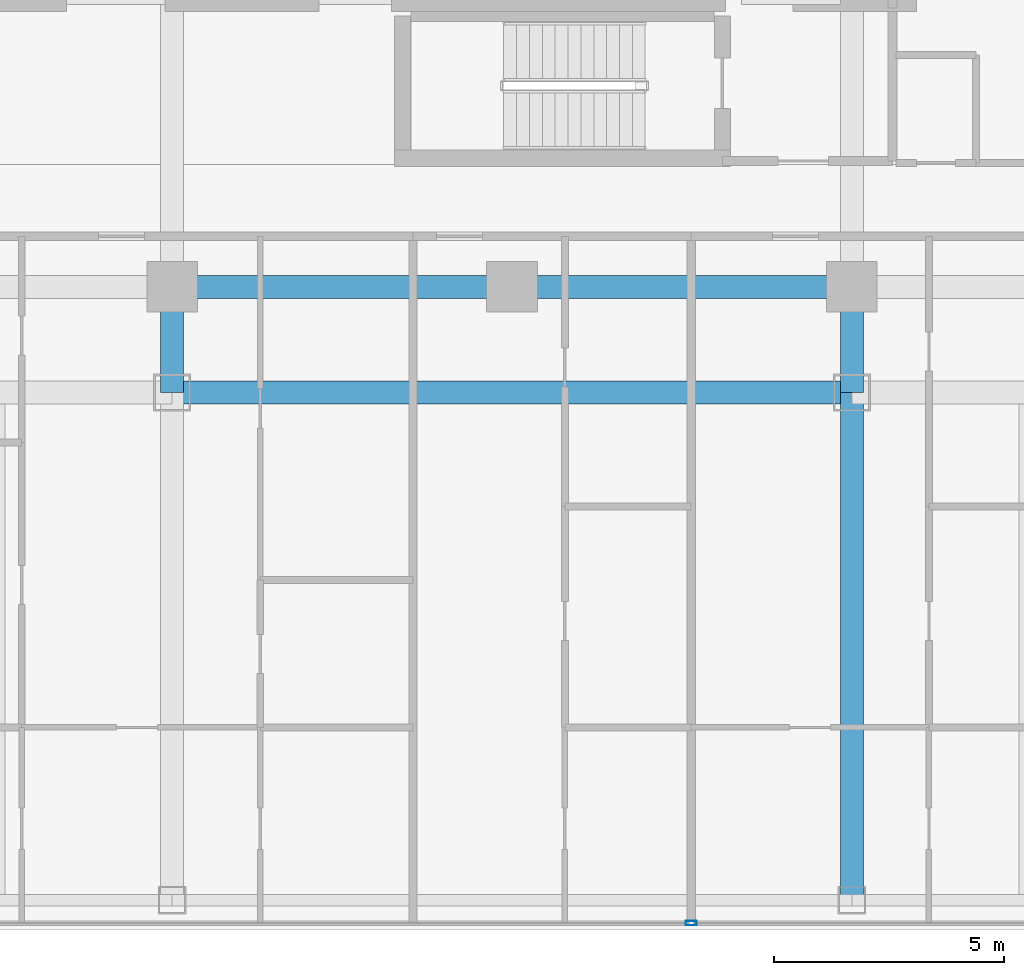
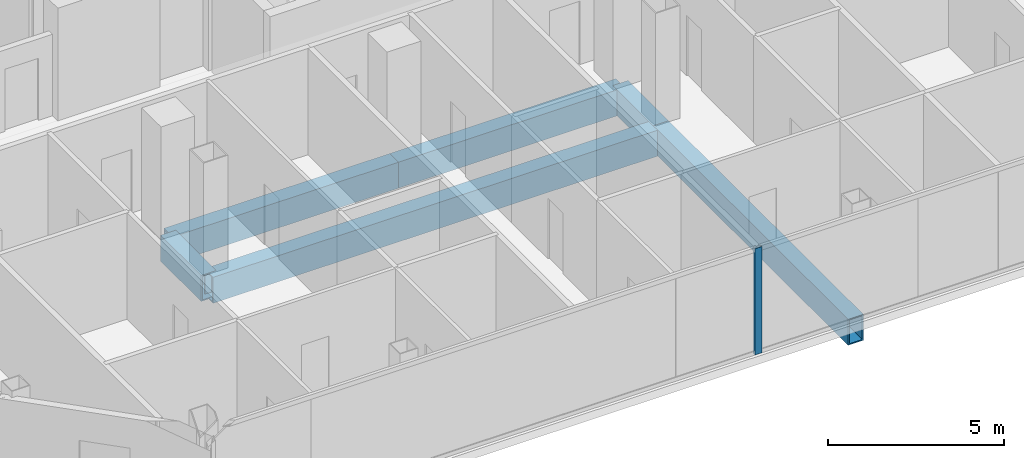
# One storey, part 4 of 26: 6 beams, 1 member, 1 element without a shape of its own.
"""IFC4 building model written with IfcOpenShell, lengths in metres."""

from ifc_helpers import new_model, si_unit, direction, frame, origin, origin_2d, place, context, subcontext, project, spatial, hollow_rectangle, extrude, material, layer, layer_set, material_profile, profile_set, type_object, element, aggregate, save


model = new_model("IFC4")

# Units and contexts
model_context = context("Model", 3, precision=1e-05, world=origin(), true_north=direction((0.0, 1.0)))
body_context = subcontext(model_context, "Body", "Model", "MODEL_VIEW")
ifc_project = project(units=[si_unit("LENGTHUNIT", "METRE"), si_unit("AREAUNIT", "SQUARE_METRE"), si_unit("VOLUMEUNIT", "CUBIC_METRE"), si_unit("PLANEANGLEUNIT", "RADIAN"), si_unit("MASSUNIT", "GRAM", prefix="KILO")], contexts=[model_context])

# Site, building, storey
site_placement = place(None, origin())
site = spatial("IfcSite", under=ifc_project, at=site_placement, CompositionType="ELEMENT")
building_placement = place(site_placement, origin())
building = spatial("IfcBuilding", under=site, at=building_placement, Name="Khorvyn Point Tower", CompositionType="ELEMENT")
storey_placement = place(building_placement, frame((0.0, 0.0, 219.60009765625)))
storey = spatial("IfcBuildingStorey", under=building, at=storey_placement, Name="L54", CompositionType="ELEMENT", Elevation=219.60009765625)

# Curtain wall, member
ifc_material_1 = material(Name="Anodised aluminium 6063-T6 and laminated Low-E glass", Category="aluminium")
ifc_layer = layer(ifc_material_1, 0.18994140625)
ifc_layer_set = layer_set([ifc_layer], Name="Stick-Built Acoustic Curtain Wall CW-SYS-03")
curtain_wall_type = type_object("IfcCurtainWallType", Name="Stick-Built Acoustic Curtain Wall CW-SYS-03", PredefinedType="NOTDEFINED", material=ifc_layer_set)
curtain_wall_placement = place(storey_placement, origin())
curtain_wall = element("IfcCurtainWall", 1, at=curtain_wall_placement, inside=storey, type_object=curtain_wall_type, Name="Curtain Wall", PredefinedType="NOTDEFINED")
ifc_material_2 = material(Name="Anodised aluminium 6063-T6", Category="aluminium")
ifc_material_profile_1 = material_profile(ifc_material_2, hollow_rectangle(XDim=0.10009765625, YDim=0.239990234375, WallThickness=0.0048828125, at=origin_2d()))
ifc_profile_set_1 = profile_set([ifc_material_profile_1], Name="Anodised aluminium 6063-T6 ALU-MUL-100x240")
member_type = type_object("IfcMemberType", Name="Anodised Aluminium 6063-T6 Mullion ALU-MUL-100x240", PredefinedType="MULLION", material=ifc_profile_set_1)
member_placement = place(storey_placement, frame((3.89990234375, -28.64990234375, 0.0), z_axis=(0.0, 0.0, 1.0), x_axis=(0.0, -1.0, 0.0)))
member = element("IfcMember", 2, at=member_placement, type_object=member_type, Name="Transom", PredefinedType="MULLION", context=body_context, shape_type="SweptSolid", body=[
    extrude(hollow_rectangle(XDim=0.10009765625, YDim=0.239990234375, WallThickness=0.0048828125, at=origin_2d()), origin(), (0.0, 0.0, 1.0), 3.679931640625),
])
aggregate(curtain_wall, [member])

# Beams
ifc_material_3 = material(Name="Steel S450", Category="steel")
ifc_material_profile_2 = material_profile(ifc_material_3, hollow_rectangle(XDim=0.5, YDim=0.89990234375, WallThickness=0.0400390625, at=origin_2d()))
ifc_profile_set_2 = profile_set([ifc_material_profile_2], Name="Steel S450 BOX900x500x40")
beam_type = type_object("IfcBeamType", Name="Steel S450 Beam BOX900x500x40", PredefinedType="BEAM", material=ifc_profile_set_2)
for number, where, z_axis, x_axis, name in (
    (3, (-7.39990234375, -14.800048828125, -0.72998046875), (1.0, 0.0, 0.0), (0.0, 1.0, 0.0), "L54 Radial Transfer Girder"),
    (4, (0.0, -14.800048828125, -0.72998046875), (1.0, 0.0, 0.0), (0.0, 1.0, 0.0), "L54 Radial Transfer Girder"),
):
    element("IfcBeam", number, at=place(storey_placement, frame(where, z_axis=z_axis, x_axis=x_axis)), inside=storey, type_object=beam_type, Name=name, PredefinedType="BEAM", context=body_context, shape_type="SweptSolid", body=[
        extrude(hollow_rectangle(XDim=0.5, YDim=0.89990234375, WallThickness=0.0400390625, at=origin_2d()), origin(), (0.0, 0.0, 1.0), 7.39990234375),
    ])
beam_1_placement = place(storey_placement, frame((-7.39990234375, -17.10009765625, -0.72998046875), z_axis=(1.0, 0.0, 0.0), x_axis=(0.0, 1.0, 0.0)))
element("IfcBeam", 5, at=beam_1_placement, inside=storey, type_object=beam_type, Name="Beam", PredefinedType="BEAM", context=body_context, shape_type="SweptSolid", body=[
    extrude(hollow_rectangle(XDim=0.5, YDim=0.89990234375, WallThickness=0.0400390625, at=origin_2d()), origin(), (0.0, 0.0, 1.0), 14.7998046875),
])
beam_2_placement = place(storey_placement, frame((-7.39990234375, -17.10009765625, -0.72998046875), z_axis=(0.0, 1.0, 0.0), x_axis=(-1.0, 0.0, 0.0)))
element("IfcBeam", 6, at=beam_2_placement, inside=storey, type_object=beam_type, Name="Beam", PredefinedType="BEAM", context=body_context, shape_type="SweptSolid", body=[
    extrude(hollow_rectangle(XDim=0.5, YDim=0.89990234375, WallThickness=0.0400390625, at=origin_2d()), origin(), (0.0, 0.0, 1.0), 2.300048828125),
])
beam_3_placement = place(storey_placement, frame((7.39990234375, -28.14990234375, -0.72998046875), z_axis=(0.0, 1.0, 0.0), x_axis=(-1.0, 0.0, 0.0)))
element("IfcBeam", 7, at=beam_3_placement, inside=storey, type_object=beam_type, Name="Beam", PredefinedType="BEAM", context=body_context, shape_type="SweptSolid", body=[
    extrude(hollow_rectangle(XDim=0.5, YDim=0.89990234375, WallThickness=0.0400390625, at=origin_2d()), origin(), (0.0, 0.0, 1.0), 11.0498046875),
])
beam_4_placement = place(storey_placement, frame((7.39990234375, -17.10009765625, -0.72998046875), z_axis=(0.0, 1.0, 0.0), x_axis=(-1.0, 0.0, 0.0)))
element("IfcBeam", 8, at=beam_4_placement, inside=storey, type_object=beam_type, Name="Beam", PredefinedType="BEAM", context=body_context, shape_type="SweptSolid", body=[
    extrude(hollow_rectangle(XDim=0.5, YDim=0.89990234375, WallThickness=0.0400390625, at=origin_2d()), origin(), (0.0, 0.0, 1.0), 2.300048828125),
])

save(model, "model.ifc")
